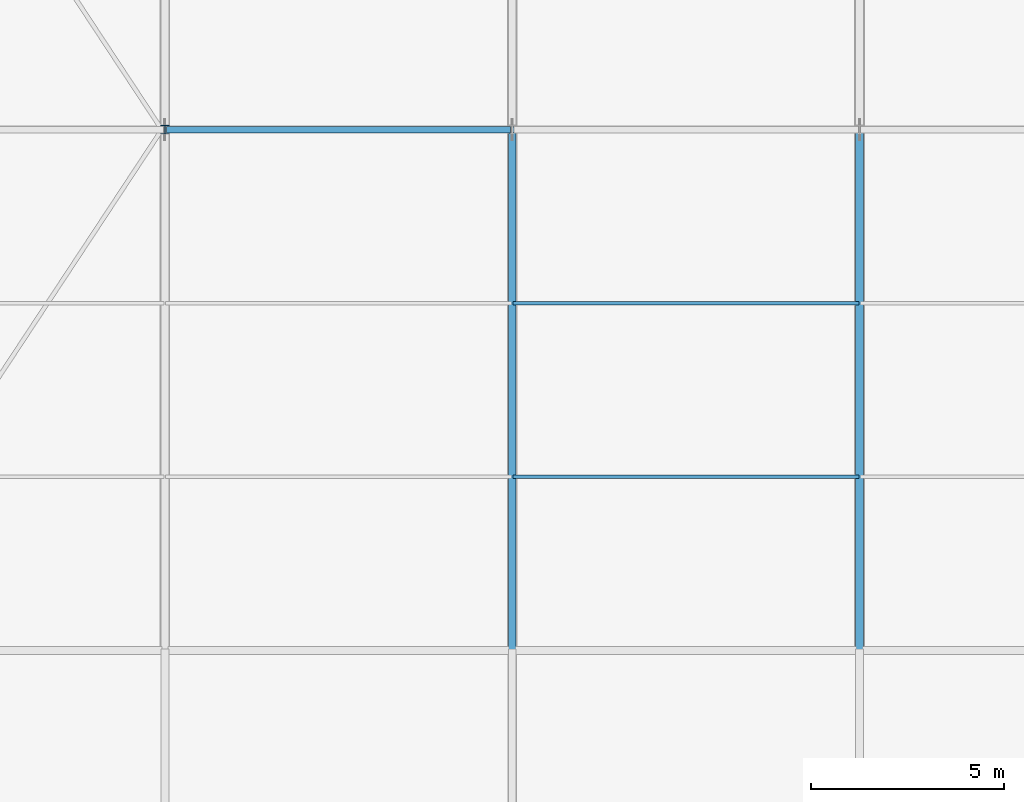
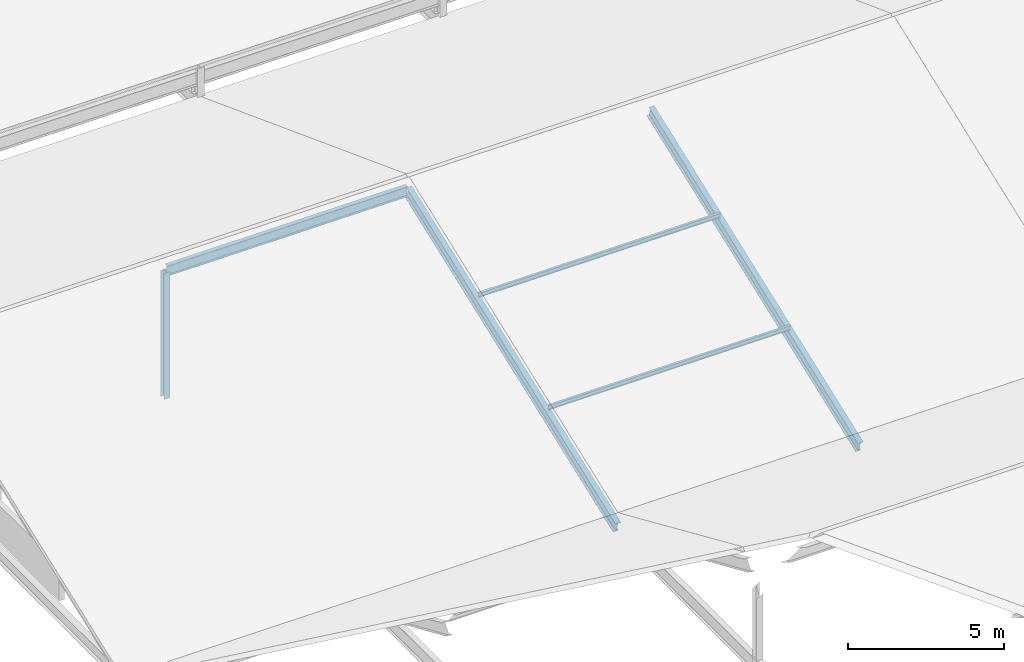
# One storey, part 30 of 163: 6 members.
"""IFC4 building model written with IfcOpenShell, lengths in metres."""

from ifc_helpers import new_model, si_unit, direction, frame, origin, origin_2d, place, context, subcontext, project, spatial, i_section, extrude, material, material_profile, profile_set, type_object, element, save


model = new_model("IFC4")

# Units and contexts
model_context = context("Model", 3, precision=1e-05, world=origin(), true_north=direction((0.0, 1.0)))
body_context = subcontext(model_context, "Body", "Model", "MODEL_VIEW")
ifc_project = project(units=[si_unit("LENGTHUNIT", "METRE"), si_unit("AREAUNIT", "SQUARE_METRE"), si_unit("VOLUMEUNIT", "CUBIC_METRE"), si_unit("PLANEANGLEUNIT", "RADIAN"), si_unit("MASSUNIT", "GRAM", prefix="KILO")], contexts=[model_context])

# Site, building, storey
site_placement = place(None, origin())
site = spatial("IfcSite", under=ifc_project, at=site_placement, CompositionType="ELEMENT")
building_placement = place(site_placement, origin())
building = spatial("IfcBuilding", under=site, at=building_placement, Name="Tharagai Park Tramway Depot", CompositionType="ELEMENT")
storey_placement = place(building_placement, frame((0.0, 0.0, 8.39990234375)))
storey = spatial("IfcBuildingStorey", under=building, at=storey_placement, Name="L02", CompositionType="ELEMENT", Elevation=8.39990234375)

# Members
ifc_material_1 = material(Name="Steel E350", Category="steel")
ifc_material_profile_1 = material_profile(ifc_material_1, i_section(OverallWidth=0.22509765625, OverallDepth=0.22509765625, WebThickness=0.008544921875, FlangeThickness=0.009033203125, FilletRadius=0.010009765625, at=origin_2d()), Name="ISHB 225")
ifc_profile_set_1 = profile_set([ifc_material_profile_1], Name="Steel E350")
member_type_1 = type_object("IfcMemberType", Name="BR-02", PredefinedType="BRACE", material=ifc_profile_set_1)
member_1_placement = place(storey_placement, frame((9.0, 76.5, -0.5), z_axis=(0.0, 0.0, 1.0), x_axis=(1.0, 0.0, 0.0)))
element("IfcMember", 1, at=member_1_placement, inside=storey, type_object=member_type_1, Name="V2B Gable King Strut BR-02", PredefinedType="BRACE", context=body_context, shape_type="SweptSolid", body=[
    extrude(i_section(OverallWidth=0.22509765625, OverallDepth=0.22509765625, WebThickness=0.008544921875, FlangeThickness=0.009033203125, FilletRadius=0.010009765625, at=origin_2d()), origin(), (0.0, 0.0, 1.0), 4.946044921875),
])
ifc_material_2 = material(Name="Steel E250", Category="steel")
ifc_material_profile_2 = material_profile(ifc_material_2, i_section(OverallWidth=0.090087890625, OverallDepth=0.175048828125, WebThickness=0.005615234375, FlangeThickness=0.009033203125, FilletRadius=0.010009765625, at=origin_2d()), Name="ISMB 175")
ifc_profile_set_2 = profile_set([ifc_material_profile_2], Name="Steel E250")
member_type_2 = type_object("IfcMemberType", Name="PR-01", PredefinedType="PURLIN", material=ifc_profile_set_2)
for number, where, z_axis, x_axis, name in (
    (2, (18.02001953125, 67.5, 1.398681640625), (1.0, 0.0, 0.0), (0.0, 1.0, 0.0), "V2B Roof Purlin PR-01"),
    (3, (18.02001953125, 72.0, 3.0810546875), (1.0, 0.0, 0.0), (0.0, 1.0, 0.0), "V2B Roof Purlin PR-01"),
):
    element("IfcMember", number, at=place(storey_placement, frame(where, z_axis=z_axis, x_axis=x_axis)), inside=storey, type_object=member_type_2, Name=name, PredefinedType="PURLIN", context=body_context, shape_type="SweptSolid", body=[
        extrude(i_section(OverallWidth=0.090087890625, OverallDepth=0.175048828125, WebThickness=0.005615234375, FlangeThickness=0.009033203125, FilletRadius=0.010009765625, at=origin_2d()), origin(), (0.0, 0.0, 1.0), 8.9599609375),
    ])
ifc_material_profile_3 = material_profile(ifc_material_1, i_section(OverallWidth=0.199951171875, OverallDepth=0.449951171875, WebThickness=0.00927734375, FlangeThickness=0.015380859375, FilletRadius=0.014892578125, at=origin_2d()), Name="ISWB 450")
ifc_profile_set_3 = profile_set([ifc_material_profile_3], Name="Steel E350")
member_type_3 = type_object("IfcMemberType", Name="RF-03", PredefinedType="RAFTER", material=ifc_profile_set_3)
for number, where, z_axis, x_axis, name in (
    (4, (18.0, 63.050048828125, -0.601318359375), (0.0, 0.936246041069, 0.35134505914), (-1.0, 0.0, 0.0), "V2B Pitched Rafter RF-03 South"),
    (5, (27.0, 63.050048828125, -0.601318359375), (0.0, 0.936246041069, 0.35134505914), (-1.0, 0.0, 0.0), "V2B Pitched Rafter RF-03 South"),
):
    element("IfcMember", number, at=place(storey_placement, frame(where, z_axis=z_axis, x_axis=x_axis)), inside=storey, type_object=member_type_3, Name=name, PredefinedType="RAFTER", context=body_context, shape_type="SweptSolid", body=[
        extrude(i_section(OverallWidth=0.199951171875, OverallDepth=0.449951171875, WebThickness=0.00927734375, FlangeThickness=0.015380859375, FilletRadius=0.014892578125, at=origin_2d()), origin(), (0.0, 0.0, 1.0), 14.36572265625),
    ])
ifc_material_profile_4 = material_profile(ifc_material_1, i_section(OverallWidth=0.1650390625, OverallDepth=0.39990234375, WebThickness=0.008056640625, FlangeThickness=0.012451171875, FilletRadius=0.013916015625, at=origin_2d()), Name="ISLB 400")
ifc_profile_set_4 = profile_set([ifc_material_profile_4], Name="Steel E350")
member_type_4 = type_object("IfcMemberType", Name="TC-04", PredefinedType="CHORD", material=ifc_profile_set_4)
member_2_placement = place(storey_placement, frame((9.0400390625, 76.5, 4.470947265625), z_axis=(1.0, 0.0, 0.0), x_axis=(0.0, 1.0, 0.0)))
element("IfcMember", 6, at=member_2_placement, inside=storey, type_object=member_type_4, Name="V2B Roof Ridge Chord TC-04", PredefinedType="CHORD", context=body_context, shape_type="SweptSolid", body=[
    extrude(i_section(OverallWidth=0.1650390625, OverallDepth=0.39990234375, WebThickness=0.008056640625, FlangeThickness=0.012451171875, FilletRadius=0.013916015625, at=origin_2d()), origin(), (0.0, 0.0, 1.0), 8.919921875),
])

save(model, "model.ifc")
